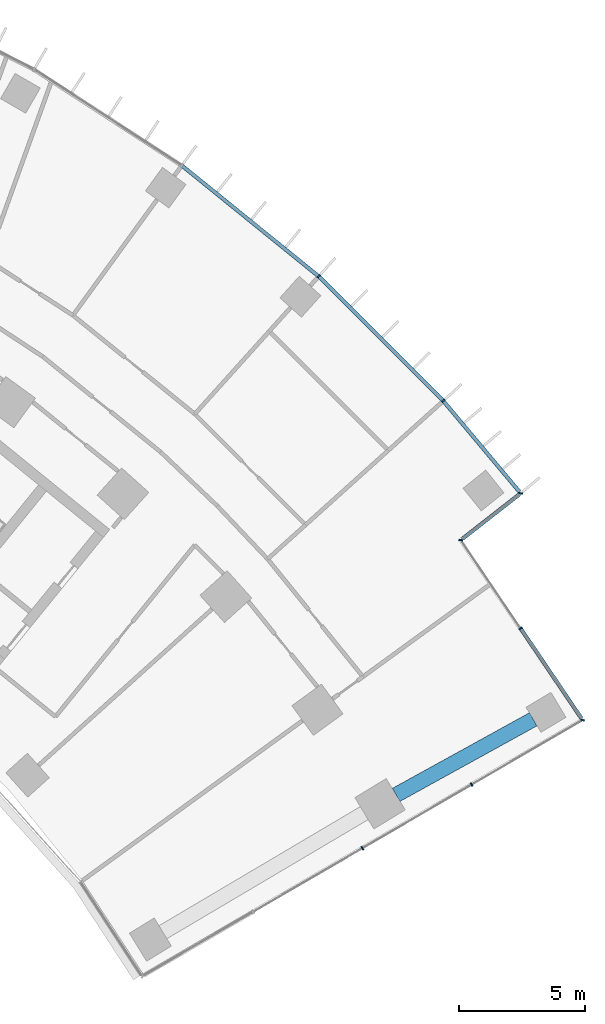
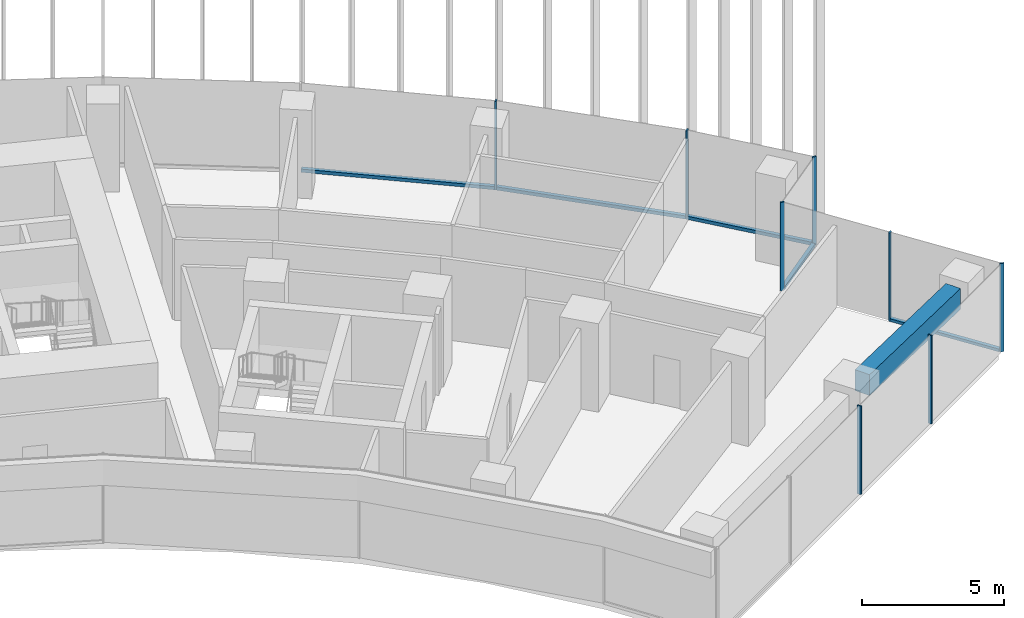
# One storey, part 9 of 21: 13 members, 1 beam, 4 elements without a shape of their own.
"""IFC4 building model written with IfcOpenShell, lengths in metres."""

from ifc_helpers import new_model, si_unit, direction, frame, origin, origin_2d, place, context, subcontext, project, spatial, rectangle, extrude, material, layer, layer_set, material_profile, profile_set, type_object, element, aggregate, save


model = new_model("IFC4")

# Units and contexts
model_context = context("Model", 3, precision=1e-05, world=origin(), true_north=direction((0.0, 1.0)))
body_context = subcontext(model_context, "Body", "Model", "MODEL_VIEW")
ifc_project = project(units=[si_unit("LENGTHUNIT", "METRE"), si_unit("AREAUNIT", "SQUARE_METRE"), si_unit("VOLUMEUNIT", "CUBIC_METRE"), si_unit("PLANEANGLEUNIT", "RADIAN"), si_unit("MASSUNIT", "GRAM", prefix="KILO")], contexts=[model_context])

# Site, building, storey
site_placement = place(None, origin())
site = spatial("IfcSite", under=ifc_project, at=site_placement, CompositionType="ELEMENT")
building_placement = place(site_placement, origin())
building = spatial("IfcBuilding", under=site, at=building_placement, Name="Stone Belt Terrace Tower", CompositionType="ELEMENT")
storey_placement = place(building_placement, frame((0.0, 0.0, 87.0)))
storey = spatial("IfcBuildingStorey", under=building, at=storey_placement, Name="L20", CompositionType="ELEMENT", Elevation=87.0)

# Curtain wall, members
ifc_material_1 = material(Name="Aluminium 6063-T6 anodised frame", Category="aluminium")
ifc_layer_1 = layer(ifc_material_1, 0.14990234375)
ifc_layer_set_1 = layer_set([ifc_layer_1], Name="CW-A unitised convex-face curtain wall")
curtain_wall_type_1 = type_object("IfcCurtainWallType", Name="CW-A unitised convex-face curtain wall", PredefinedType="NOTDEFINED", material=ifc_layer_set_1)
curtain_wall_1_placement = place(storey_placement, origin())
curtain_wall_1 = element("IfcCurtainWall", 1, at=curtain_wall_1_placement, inside=storey, type_object=curtain_wall_type_1, Name="CW-A convex face L20", PredefinedType="NOTDEFINED")
ifc_material_profile_1 = material_profile(ifc_material_1, rectangle(XDim=0.14990234375, YDim=0.06005859375, at=origin_2d()), Name="Aluminium 6063-T6 60x150")
ifc_profile_set_1 = profile_set([ifc_material_profile_1], Name="Aluminium 6063-T6 anodised frame")
member_type_1 = type_object("IfcMemberType", Name="CW-A mullion 60 x 150", PredefinedType="MULLION", material=ifc_profile_set_1)
member_1_placement = place(storey_placement, frame((52.539794921875, 40.89208984375, 0.0), z_axis=(0.0, 0.0, 1.0), x_axis=(-0.994464768622, 0.105070566623, 0.0)))
member_1 = element("IfcMember", 2, at=member_1_placement, type_object=member_type_1, Name="CW-A mullion 1", PredefinedType="MULLION", context=body_context, shape_type="SweptSolid", body=[
    extrude(rectangle(XDim=0.14990234375, YDim=0.06005859375, at=origin_2d()), origin(), (0.0, 0.0, 1.0), 3.800048828125),
])
member_2_placement = place(storey_placement, frame((49.474609375, 44.5478515625, 0.0), z_axis=(0.0, 0.0, 1.0), x_axis=(-0.737400080522, -0.675456231925, 0.0)))
member_2 = element("IfcMember", 3, at=member_2_placement, type_object=member_type_1, Name="CW-A mullion 2", PredefinedType="MULLION", context=body_context, shape_type="SweptSolid", body=[
    extrude(rectangle(XDim=0.14990234375, YDim=0.06005859375, at=origin_2d()), origin(), (0.0, 0.0, 1.0), 3.800048828125),
])
member_3_placement = place(storey_placement, frame((44.54736328125, 49.474853515625, 0.0), z_axis=(0.0, 0.0, 1.0), x_axis=(-0.669130606359, -0.743144825477, 0.0)))
member_3 = element("IfcMember", 4, at=member_3_placement, type_object=member_type_1, Name="CW-A mullion 3", PredefinedType="MULLION", context=body_context, shape_type="SweptSolid", body=[
    extrude(rectangle(XDim=0.14990234375, YDim=0.06005859375, at=origin_2d()), origin(), (0.0, 0.0, 1.0), 3.800048828125),
])
ifc_material_profile_2 = material_profile(ifc_material_1, rectangle(XDim=0.14990234375, YDim=0.139892578125, at=origin_2d()), Name="Aluminium 6063-T6 150x140")
ifc_profile_set_2 = profile_set([ifc_material_profile_2], Name="Aluminium 6063-T6 anodised frame")
member_type_2 = type_object("IfcMemberType", Name="CW-A transom 140 x 150", PredefinedType="USERDEFINED", material=ifc_profile_set_2)
member_4_placement = place(storey_placement, frame((52.49169921875, 40.949462890625, 0.070068359375), z_axis=(-0.642504178028, 0.766282181195, 0.0), x_axis=(-0.766282181195, -0.642504178028, 0.0)))
member_4 = element("IfcMember", 5, at=member_4_placement, type_object=member_type_2, Name="CW-A transom 1.1", ObjectType="TRANSOM", PredefinedType="USERDEFINED", context=body_context, shape_type="SweptSolid", body=[
    extrude(rectangle(XDim=0.14990234375, YDim=0.139892578125, at=origin_2d()), origin(), (0.0, 0.0, 1.0), 4.662841796875),
])
member_5_placement = place(storey_placement, frame((49.450927734375, 44.5712890625, 0.070068359375), z_axis=(-0.707106781187, 0.707106781187, 0.0), x_axis=(-0.707106781187, -0.707106781187, 0.0)))
member_5 = element("IfcMember", 6, at=member_5_placement, type_object=member_type_2, Name="CW-A transom 2.1", ObjectType="TRANSOM", PredefinedType="USERDEFINED", context=body_context, shape_type="SweptSolid", body=[
    extrude(rectangle(XDim=0.14990234375, YDim=0.139892578125, at=origin_2d()), origin(), (0.0, 0.0, 1.0), 6.90087890625),
])
member_6_placement = place(storey_placement, frame((44.52099609375, 49.496337890625, 0.070068359375), z_axis=(-0.777141048626, 0.629326457842, 0.0), x_axis=(-0.629326457842, -0.777141048626, 0.0)))
member_6 = element("IfcMember", 7, at=member_6_placement, type_object=member_type_2, Name="CW-A transom 3.1", ObjectType="TRANSOM", PredefinedType="USERDEFINED", context=body_context, shape_type="SweptSolid", body=[
    extrude(rectangle(XDim=0.14990234375, YDim=0.139892578125, at=origin_2d()), origin(), (0.0, 0.0, 1.0), 6.900634765625),
])
aggregate(curtain_wall_1, [member_1, member_2, member_3, member_4, member_5, member_6])

ifc_layer_2 = layer(ifc_material_1, 0.14990234375)
ifc_layer_set_2 = layer_set([ifc_layer_2], Name="CW-C stick curtain wall, horn ends and notches")
curtain_wall_type_2 = type_object("IfcCurtainWallType", Name="CW-C stick curtain wall, horn ends and notches", PredefinedType="NOTDEFINED", material=ifc_layer_set_2)
curtain_wall_2_placement = place(storey_placement, origin())
curtain_wall_2 = element("IfcCurtainWall", 8, at=curtain_wall_2_placement, inside=storey, type_object=curtain_wall_type_2, Name="CW-C end face L20", PredefinedType="NOTDEFINED")
ifc_material_profile_3 = material_profile(ifc_material_1, rectangle(XDim=0.14990234375, YDim=0.06005859375, at=origin_2d()), Name="Aluminium 6063-T6 60x150")
ifc_profile_set_3 = profile_set([ifc_material_profile_3], Name="Aluminium 6063-T6 anodised frame")
member_type_3 = type_object("IfcMemberType", Name="CW-C mullion 60 x 150", PredefinedType="MULLION", material=ifc_profile_set_3)
member_7_placement = place(storey_placement, frame((46.2744140625, 26.85009765625, 0.0), z_axis=(0.0, 0.0, 1.0), x_axis=(-0.503080901861, 0.864239322284, 0.0)))
member_7 = element("IfcMember", 9, at=member_7_placement, type_object=member_type_3, Name="CW-C mullion 3", PredefinedType="MULLION", context=body_context, shape_type="SweptSolid", body=[
    extrude(rectangle(XDim=0.14990234375, YDim=0.06005859375, at=origin_2d()), origin(), (0.0, 0.0, 1.0), 3.800048828125),
])
member_8_placement = place(storey_placement, frame((50.595703125, 29.365478515625, 0.0), z_axis=(0.0, 0.0, 1.0), x_axis=(-0.503080901861, 0.864239322284, 0.0)))
member_8 = element("IfcMember", 10, at=member_8_placement, type_object=member_type_3, Name="CW-C mullion 4", PredefinedType="MULLION", context=body_context, shape_type="SweptSolid", body=[
    extrude(rectangle(XDim=0.14990234375, YDim=0.06005859375, at=origin_2d()), origin(), (0.0, 0.0, 1.0), 3.800048828125),
])
aggregate(curtain_wall_2, [member_7, member_8])

curtain_wall_3_placement = place(storey_placement, origin())
curtain_wall_3 = element("IfcCurtainWall", 11, at=curtain_wall_3_placement, inside=storey, type_object=curtain_wall_type_2, Name="CW-C notch face L20", PredefinedType="NOTDEFINED")
member_9_placement = place(storey_placement, frame((54.986328125, 31.921142578125, 0.0), z_axis=(0.0, 0.0, 1.0), x_axis=(-0.974926991266, 0.222524968715, 0.0)))
member_9 = element("IfcMember", 12, at=member_9_placement, type_object=member_type_3, Name="CW-C mullion 1", PredefinedType="MULLION", context=body_context, shape_type="SweptSolid", body=[
    extrude(rectangle(XDim=0.14990234375, YDim=0.06005859375, at=origin_2d()), origin(), (0.0, 0.0, 1.0), 3.800048828125),
])
member_10_placement = place(storey_placement, frame((52.53515625, 35.5439453125, 0.0), z_axis=(0.0, 0.0, 1.0), x_axis=(-0.828244257471, -0.560367245622, 0.0)))
member_10 = element("IfcMember", 13, at=member_10_placement, type_object=member_type_3, Name="CW-C mullion 2", PredefinedType="MULLION", context=body_context, shape_type="SweptSolid", body=[
    extrude(rectangle(XDim=0.14990234375, YDim=0.06005859375, at=origin_2d()), origin(), (0.0, 0.0, 1.0), 3.800048828125),
])

# Curtain wall, member
curtain_wall_4_placement = place(storey_placement, origin())
curtain_wall_4 = element("IfcCurtainWall", 14, at=curtain_wall_4_placement, inside=storey, type_object=curtain_wall_type_2, Name="CW-C notch face L20", PredefinedType="NOTDEFINED")
member_11_placement = place(storey_placement, frame((50.16845703125, 39.0419921875, 0.0), z_axis=(0.0, 0.0, 1.0), x_axis=(-0.987742281651, 0.156093513764, 0.0)))
member_11 = element("IfcMember", 15, at=member_11_placement, type_object=member_type_3, Name="CW-C mullion 1", PredefinedType="MULLION", context=body_context, shape_type="SweptSolid", body=[
    extrude(rectangle(XDim=0.14990234375, YDim=0.06005859375, at=origin_2d()), origin(), (0.0, 0.0, 1.0), 3.800048828125),
])

# Member
ifc_material_profile_4 = material_profile(ifc_material_1, rectangle(XDim=0.14990234375, YDim=0.1201171875, at=origin_2d()), Name="Aluminium 6063-T6 150x120")
ifc_profile_set_4 = profile_set([ifc_material_profile_4], Name="Aluminium 6063-T6 anodised frame")
member_type_4 = type_object("IfcMemberType", Name="CW-C transom 120 x 150", PredefinedType="USERDEFINED", material=ifc_profile_set_4)
member_12_placement = place(storey_placement, frame((54.944091796875, 31.983642578125, 0.06005859375), z_axis=(-0.560388995766, 0.828229541507, 0.0), x_axis=(-0.828229541507, -0.560388995766, 0.0)))
member_12 = element("IfcMember", 16, at=member_12_placement, type_object=member_type_4, Name="CW-C transom 1.1", ObjectType="TRANSOM", PredefinedType="USERDEFINED", context=body_context, shape_type="SweptSolid", body=[
    extrude(rectangle(XDim=0.14990234375, YDim=0.1201171875, at=origin_2d()), origin(), (0.0, 0.0, 1.0), 4.2685546875),
])

aggregate(curtain_wall_3, [member_9, member_10, member_12])

member_13_placement = place(storey_placement, frame((50.22607421875, 39.087158203125, 0.06005859375), z_axis=(0.788505618167, 0.615027552325, 0.0), x_axis=(-0.615027552325, 0.788505618167, 0.0)))
member_13 = element("IfcMember", 17, at=member_13_placement, type_object=member_type_4, Name="CW-C transom 1.1", ObjectType="TRANSOM", PredefinedType="USERDEFINED", context=body_context, shape_type="SweptSolid", body=[
    extrude(rectangle(XDim=0.14990234375, YDim=0.1201171875, at=origin_2d()), origin(), (0.0, 0.0, 1.0), 2.859619140625),
])

aggregate(curtain_wall_4, [member_11, member_13])

# Beam
ifc_material_2 = material(Name="Concrete B60", Category="concrete")
ifc_material_profile_5 = material_profile(ifc_material_2, rectangle(XDim=0.60009765625, YDim=0.89990234375, at=origin_2d()), Name="RC 600x900")
ifc_profile_set_5 = profile_set([ifc_material_profile_5], Name="Concrete B60")
beam_type = type_object("IfcBeamType", Name="Edge beam RC 600x900 B60", PredefinedType="SPANDREL", material=ifc_profile_set_5)
beam_placement = place(storey_placement, frame((47.6083984375, 28.960693359375, 3.030029296875), z_axis=(0.875764462498, 0.482738652094, 0.0), x_axis=(-0.482738652094, 0.875764462498, 0.0)))
element("IfcBeam", 18, at=beam_placement, inside=storey, type_object=beam_type, Name="Edge beam L20 B Q to R", PredefinedType="SPANDREL", context=body_context, shape_type="SweptSolid", body=[
    extrude(rectangle(XDim=0.60009765625, YDim=0.89990234375, at=origin_2d()), origin(), (0.0, 0.0, 1.0), 6.19384765625),
])

save(model, "model.ifc")
